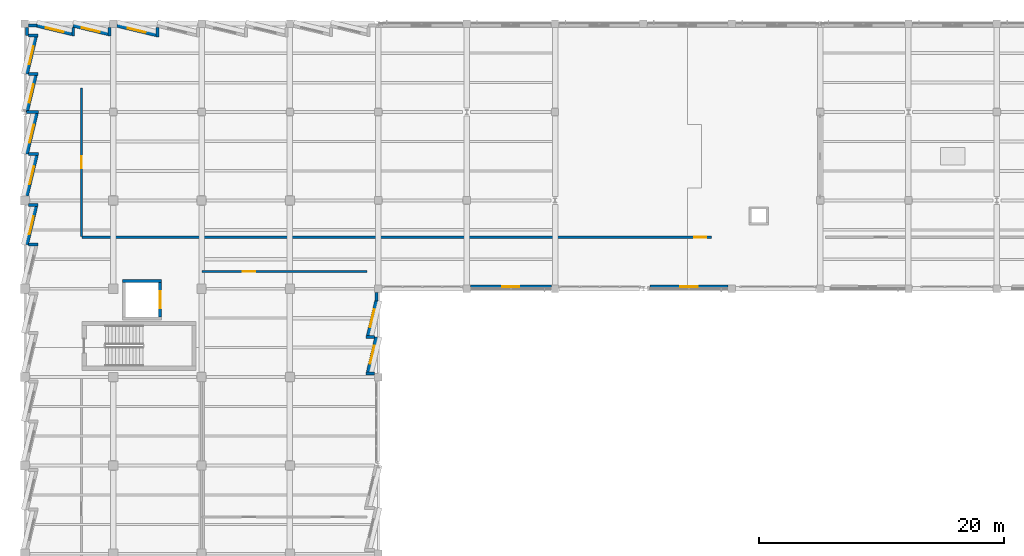
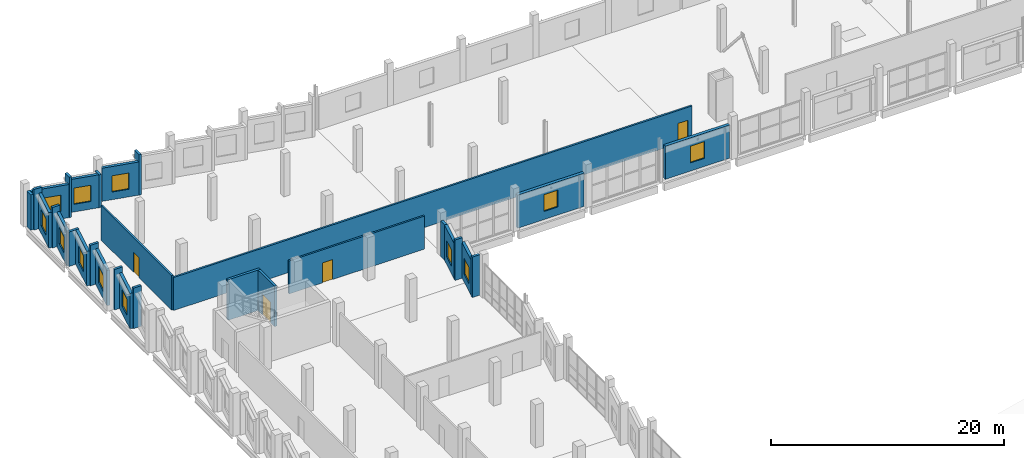
# One storey, part 94 of 123: 31 walls, 12 windows, 4 doors, 16 openings.
"""IFC4 building model written with IfcOpenShell, lengths in metres."""

from ifc_helpers import new_model, si_unit, direction, frame, frame_2d, origin, place, context, subcontext, project, spatial, rectangle, extrude, material, layer, layer_set, type_object, element, fill, save


model = new_model("IFC4")

# Units and contexts
model_context = context("Model", 3, precision=1e-05, world=origin(), true_north=direction((0.0, 1.0)))
body_context = subcontext(model_context, "Body", "Model", "MODEL_VIEW")
ifc_project = project(units=[si_unit("LENGTHUNIT", "METRE"), si_unit("AREAUNIT", "SQUARE_METRE"), si_unit("VOLUMEUNIT", "CUBIC_METRE"), si_unit("PLANEANGLEUNIT", "RADIAN"), si_unit("MASSUNIT", "GRAM", prefix="KILO")], contexts=[model_context])

# Site, building, storey
site_placement = place(None, origin())
site = spatial("IfcSite", under=ifc_project, at=site_placement, CompositionType="ELEMENT")
building_placement = place(site_placement, origin())
building = spatial("IfcBuilding", under=site, at=building_placement, Name="Kalmorath City Hall", CompositionType="ELEMENT")
storey_placement = place(building_placement, frame((0.0, 0.0, 10.199951171875)))
storey = spatial("IfcBuildingStorey", under=building, at=storey_placement, Name="L02", CompositionType="ELEMENT", Elevation=10.199951171875)

# Wall
ifc_material_1 = material(Name="Concrete C50/60", Category="concrete")
ifc_layer_1 = layer(ifc_material_1, 0.25)
ifc_layer_set_1 = layer_set([ifc_layer_1], Name="Concrete C50/60")
wall_type_1 = type_object("IfcWallType", Name="Concrete lift shaft wall 250", PredefinedType="SHEAR", material=ifc_layer_set_1)
wall_1_placement = place(storey_placement, frame((11.14990234375, 94.22509765625, 0.0), z_axis=(0.0, 0.0, 1.0), x_axis=(-1.0, 0.0, 0.0)))
element("IfcWall", 1, at=wall_1_placement, inside=storey, type_object=wall_type_1, Name="L02 SL1 lift shaft wall +y", PredefinedType="SHEAR", context=body_context, shape_type="SweptSolid", body=[
    extrude(rectangle(XDim=3.199951171875, YDim=0.25, at=frame_2d((1.60009765625, 0.0))), origin(), (0.0, 0.0, 1.0), 4.239990234375),
])

# Wall, opening, door
wall_2_placement = place(storey_placement, frame((11.02490234375, 91.300048828125, 0.0), z_axis=(0.0, 0.0, 1.0), x_axis=(0.0, 1.0, 0.0)))
wall_2 = element("IfcWall", 2, at=wall_2_placement, inside=storey, type_object=wall_type_1, Name="L02 SL1 lift shaft wall +x", PredefinedType="SHEAR", context=body_context, shape_type="SweptSolid", body=[
    extrude(rectangle(XDim=2.800048828125, YDim=0.25, at=frame_2d((1.39990234375, 0.0))), origin(), (0.0, 0.0, 1.0), 4.239990234375),
])
opening_1_placement = place(wall_2_placement, frame((0.699951171875, 0.0, 0.0)))
opening_1 = element("IfcOpeningElement", 3, at=opening_1_placement, cuts=wall_2, Name="Opening LD-088", PredefinedType="OPENING", context=body_context, shape_type="SweptSolid", body=[
    extrude(rectangle(XDim=1.39990234375, YDim=2.14990234375, at=frame_2d((0.699951171875, 1.074951171875))), frame((0.0, 0.135009765625, 0.0), z_axis=(0.0, -1.0, 0.0), x_axis=(1.0, 0.0, 0.0)), (0.0, 0.0, 1.0), 0.27001953125),
])
ifc_material_2 = material(Name="Stainless steel sliding landing door", Category="steel")
door_type_1 = type_object("IfcDoorType", Name="Goods lift sliding landing door 1400x2150", OperationType="SLIDING_TO_LEFT", PredefinedType="DOOR", material=ifc_material_2)
door_1_placement = place(opening_1_placement, origin())
door_1 = element("IfcDoor", 4, at=door_1_placement, inside=storey, type_object=door_type_1, Name="L02 door LD-088", OperationType="SLIDING_TO_LEFT", OverallHeight=2.14990234375, OverallWidth=1.39990234375, PredefinedType="DOOR", context=body_context, shape_type="SweptSolid", body=[
    extrude(rectangle(XDim=1.39990234375, YDim=2.14990234375, at=frame_2d((0.699951171875, 1.074951171875))), frame((0.0, 0.02490234375, 0.0), z_axis=(0.0, -1.0, 0.0), x_axis=(1.0, 0.0, 0.0)), (0.0, 0.0, 1.0), 0.050048828125),
])
fill(opening_1, door_1)

ifc_material_3 = material(Name="Fire-rated acoustic gypsum partition")
ifc_layer_2 = layer(ifc_material_3, 0.179931640625)
ifc_layer_set_2 = layer_set([ifc_layer_2], Name="Fire-rated acoustic gypsum partition")
wall_type_2 = type_object("IfcWallType", Name="One-hour corridor fire partition 180", PredefinedType="PARTITIONING", material=ifc_layer_set_2)
wall_3_placement = place(storey_placement, frame((4.60009765625, 97.840087890625, 0.0), z_axis=(0.0, 0.0, 1.0), x_axis=(0.0, 1.0, 0.0)))
wall_3 = element("IfcWall", 5, at=wall_3_placement, inside=storey, type_object=wall_type_2, Name="L02 interior partition PW2 #105", PredefinedType="PARTITIONING", context=body_context, shape_type="SweptSolid", body=[
    extrude(rectangle(XDim=12.119873046875, YDim=0.179931640625, at=frame_2d((6.06005859375, 0.0))), origin(), (0.0, 0.0, 1.0), 3.6181640625),
])
opening_2_placement = place(wall_3_placement, frame((5.56005859375, 0.0, 0.0)))
opening_2 = element("IfcOpeningElement", 6, at=opening_2_placement, cuts=wall_3, Name="Opening D-L02-200", PredefinedType="OPENING", context=body_context, shape_type="SweptSolid", body=[
    extrude(rectangle(XDim=1.0, YDim=2.10009765625, at=frame_2d((0.5, 1.050048828125))), frame((0.0, 0.099853515625, 0.0), z_axis=(0.0, -1.0, 0.0), x_axis=(1.0, 0.0, 0.0)), (0.0, 0.0, 1.0), 0.199951171875),
])
ifc_material_4 = material(Name="Hardwood fire door", Category="wood")
door_type_2 = type_object("IfcDoorType", Name="Corridor 60-min fire door 1000x2100", OperationType="NOTDEFINED", PredefinedType="DOOR", material=ifc_material_4)
door_2_placement = place(opening_2_placement, origin())
door_2 = element("IfcDoor", 7, at=door_2_placement, inside=storey, type_object=door_type_2, Name="L02 door D-L02-200", OperationType="SINGLE_SWING_RIGHT", OverallHeight=2.10009765625, OverallWidth=1.0, PredefinedType="DOOR", context=body_context, shape_type="SweptSolid", body=[
    extrude(rectangle(XDim=1.0, YDim=2.10009765625, at=frame_2d((0.5, 1.050048828125))), frame((0.0, 0.02490234375, 0.0), z_axis=(0.0, -1.0, 0.0), x_axis=(1.0, 0.0, 0.0)), (0.0, 0.0, 1.0), 0.050048828125),
])
fill(opening_2, door_2)

wall_4_placement = place(storey_placement, frame((4.639892578125, 97.800048828125, 0.0), z_axis=(0.0, 0.0, 1.0), x_axis=(1.0, 0.0, 0.0)))
wall_4 = element("IfcWall", 8, at=wall_4_placement, inside=storey, type_object=wall_type_2, Name="L02 interior partition PW2 #115", PredefinedType="PARTITIONING", context=body_context, shape_type="SweptSolid", body=[
    extrude(rectangle(XDim=51.320068359375, YDim=0.179931640625, at=frame_2d((25.66015625, 0.0))), origin(), (0.0, 0.0, 1.0), 3.450927734375),
])
opening_3_placement = place(wall_4_placement, frame((49.89990234375, 0.0, 0.0)))
opening_3 = element("IfcOpeningElement", 9, at=opening_3_placement, cuts=wall_4, Name="Opening D-L02-199", PredefinedType="OPENING", context=body_context, shape_type="SweptSolid", body=[
    extrude(rectangle(XDim=1.0, YDim=2.10009765625, at=frame_2d((0.5, 1.050048828125))), frame((0.0, 0.099853515625, 0.0), z_axis=(0.0, -1.0, 0.0), x_axis=(1.0, 0.0, 0.0)), (0.0, 0.0, 1.0), 0.199951171875),
])
door_3_placement = place(opening_3_placement, origin())
door_3 = element("IfcDoor", 10, at=door_3_placement, inside=storey, type_object=door_type_2, Name="L02 door D-L02-199", OperationType="SINGLE_SWING_LEFT", OverallHeight=2.10009765625, OverallWidth=1.0, PredefinedType="DOOR", context=body_context, shape_type="SweptSolid", body=[
    extrude(rectangle(XDim=1.0, YDim=2.10009765625, at=frame_2d((0.5, 1.050048828125))), frame((0.0, 0.02490234375, 0.0), z_axis=(0.0, -1.0, 0.0), x_axis=(1.0, 0.0, 0.0)), (0.0, 0.0, 1.0), 0.050048828125),
])
fill(opening_3, door_3)

wall_5_placement = place(storey_placement, frame((14.43994140625, 95.0, 0.0), z_axis=(0.0, 0.0, 1.0), x_axis=(1.0, 0.0, 0.0)))
wall_5 = element("IfcWall", 11, at=wall_5_placement, inside=storey, type_object=wall_type_2, Name="L02 interior partition PW2 #118", PredefinedType="PARTITIONING", context=body_context, shape_type="SweptSolid", body=[
    extrude(rectangle(XDim=13.420166015625, YDim=0.179931640625, at=frame_2d((6.7099609375, 0.0))), origin(), (0.0, 0.0, 1.0), 3.450927734375),
])
opening_4_placement = place(wall_5_placement, frame((3.31494140625, 0.0, 0.0)))
opening_4 = element("IfcOpeningElement", 12, at=opening_4_placement, cuts=wall_5, Name="Opening D-L02-214", PredefinedType="OPENING", context=body_context, shape_type="SweptSolid", body=[
    extrude(rectangle(XDim=1.0, YDim=2.10009765625, at=frame_2d((0.5, 1.050048828125))), frame((0.0, 0.099853515625, 0.0), z_axis=(0.0, -1.0, 0.0), x_axis=(1.0, 0.0, 0.0)), (0.0, 0.0, 1.0), 0.199951171875),
])
door_4_placement = place(opening_4_placement, origin())
door_4 = element("IfcDoor", 13, at=door_4_placement, inside=storey, type_object=door_type_2, Name="L02 door D-L02-214", OperationType="SINGLE_SWING_RIGHT", OverallHeight=2.10009765625, OverallWidth=1.0, PredefinedType="DOOR", context=body_context, shape_type="SweptSolid", body=[
    extrude(rectangle(XDim=1.0, YDim=2.10009765625, at=frame_2d((0.5, 1.050048828125))), frame((0.0, 0.02490234375, 0.0), z_axis=(0.0, -1.0, 0.0), x_axis=(1.0, 0.0, 0.0)), (0.0, 0.0, 1.0), 0.050048828125),
])
fill(opening_4, door_4)

# Walls
ifc_material_5 = material(Name="Precast concrete C40/50", Category="concrete")
ifc_layer_3 = layer(ifc_material_5, 0.239990234375)
ifc_layer_set_3 = layer_set([ifc_layer_3], Name="Precast concrete C40/50")
wall_type_3 = type_object("IfcWallType", Name="Precast sawtooth cheek wall 240", PredefinedType="SOLIDWALL", material=ifc_layer_set_3)
for number, where, z_axis, x_axis, name in (
    (14, (1.0791015625, 97.199951171875, 0.0), (0.0, 0.0, 1.0), (-1.0, 0.0, 0.0), "L02 sawtooth return cheek #402"),
    (15, (1.0791015625, 100.424072265625, 0.0), (0.0, 0.0, 1.0), (-1.0, 0.0, 0.0), "L02 sawtooth return cheek #404"),
):
    element("IfcWall", number, at=place(storey_placement, frame(where, z_axis=z_axis, x_axis=x_axis)), inside=storey, type_object=wall_type_3, Name=name, PredefinedType="SOLIDWALL", context=body_context, shape_type="SweptSolid", body=[
        extrude(rectangle(XDim=0.787109375, YDim=0.239990234375, at=frame_2d((0.3935546875, 0.0))), origin(), (0.0, 0.0, 1.0), 4.239990234375),
    ])
wall_6_placement = place(storey_placement, frame((1.1240234375, 104.587890625, 0.0), z_axis=(0.0, 0.0, 1.0), x_axis=(-1.0, 0.0, 0.0)))
element("IfcWall", 16, at=wall_6_placement, inside=storey, type_object=wall_type_3, Name="L02 sawtooth return cheek #406", PredefinedType="SOLIDWALL", context=body_context, shape_type="SweptSolid", body=[
    extrude(rectangle(XDim=0.83203125, YDim=0.239990234375, at=frame_2d((0.416015625, 0.0))), origin(), (0.0, 0.0, 1.0), 4.239990234375),
])
wall_7_placement = place(storey_placement, frame((1.1240234375, 108.0, 0.0), z_axis=(0.0, 0.0, 1.0), x_axis=(-1.0, 0.0, 0.0)))
element("IfcWall", 17, at=wall_7_placement, inside=storey, type_object=wall_type_3, Name="L02 sawtooth return cheek #408", PredefinedType="SOLIDWALL", context=body_context, shape_type="SweptSolid", body=[
    extrude(rectangle(XDim=0.984130859375, YDim=0.239990234375, at=frame_2d((0.4921875, 0.0))), origin(), (0.0, 0.0, 1.0), 3.6181640625),
])
wall_8_placement = place(storey_placement, frame((1.051513671875, 111.109619140625, 0.0), z_axis=(0.0, 0.0, 1.0), x_axis=(-1.0, 0.0, 0.0)))
element("IfcWall", 18, at=wall_8_placement, inside=storey, type_object=wall_type_3, Name="L02 sawtooth return cheek #411", PredefinedType="SOLIDWALL", context=body_context, shape_type="SweptSolid", body=[
    extrude(rectangle(XDim=0.759521484375, YDim=0.239990234375, at=frame_2d((0.3798828125, 0.0))), origin(), (0.0, 0.0, 1.0), 4.239990234375),
])
wall_9_placement = place(storey_placement, frame((1.051513671875, 114.218994140625, 0.0), z_axis=(0.0, 0.0, 1.0), x_axis=(-1.0, 0.0, 0.0)))
element("IfcWall", 19, at=wall_9_placement, inside=storey, type_object=wall_type_3, Name="L02 sawtooth return cheek #413", PredefinedType="SOLIDWALL", context=body_context, shape_type="SweptSolid", body=[
    extrude(rectangle(XDim=0.76953125, YDim=0.239990234375, at=frame_2d((0.384765625, 0.0))), origin(), (0.0, 0.0, 1.0), 4.239990234375),
])
wall_10_placement = place(storey_placement, frame((3.93994140625, 114.1845703125, 0.0), z_axis=(0.0, 0.0, 1.0), x_axis=(0.0, 1.0, 0.0)))
element("IfcWall", 20, at=wall_10_placement, inside=storey, type_object=wall_type_3, Name="L02 sawtooth return cheek #416", PredefinedType="SOLIDWALL", context=body_context, shape_type="SweptSolid", body=[
    extrude(rectangle(XDim=0.723388671875, YDim=0.239990234375, at=frame_2d((0.36181640625, 0.0))), origin(), (0.0, 0.0, 1.0), 4.239990234375),
])
wall_11_placement = place(storey_placement, frame((6.89892578125, 114.1845703125, 0.0), z_axis=(0.0, 0.0, 1.0), x_axis=(0.0, 1.0, 0.0)))
element("IfcWall", 21, at=wall_11_placement, inside=storey, type_object=wall_type_3, Name="L02 sawtooth return cheek #418", PredefinedType="SOLIDWALL", context=body_context, shape_type="SweptSolid", body=[
    extrude(rectangle(XDim=0.723388671875, YDim=0.239990234375, at=frame_2d((0.36181640625, 0.0))), origin(), (0.0, 0.0, 1.0), 3.450927734375),
])
wall_12_placement = place(storey_placement, frame((10.800048828125, 114.10302734375, 0.0), z_axis=(0.0, 0.0, 1.0), x_axis=(0.0, 1.0, 0.0)))
element("IfcWall", 22, at=wall_12_placement, inside=storey, type_object=wall_type_3, Name="L02 sawtooth return cheek #420", PredefinedType="SOLIDWALL", context=body_context, shape_type="SweptSolid", body=[
    extrude(rectangle(XDim=0.804931640625, YDim=0.239990234375, at=frame_2d((0.40234375, 0.0))), origin(), (0.0, 0.0, 1.0), 4.239990234375),
])
for number, where, z_axis, x_axis, name in (
    (23, (27.78466796875, 89.659912109375, 0.0), (0.0, 0.0, 1.0), (1.0, 0.0, 0.0), "L02 sawtooth return cheek #479"),
    (24, (27.78466796875, 86.700927734375, 0.0), (0.0, 0.0, 1.0), (1.0, 0.0, 0.0), "L02 sawtooth return cheek #481"),
):
    element("IfcWall", number, at=place(storey_placement, frame(where, z_axis=z_axis, x_axis=x_axis)), inside=storey, type_object=wall_type_3, Name=name, PredefinedType="SOLIDWALL", context=body_context, shape_type="SweptSolid", body=[
        extrude(rectangle(XDim=0.723388671875, YDim=0.239990234375, at=frame_2d((0.36181640625, 0.0))), origin(), (0.0, 0.0, 1.0), 4.239990234375),
    ])

# Wall, opening, window
ifc_material_6 = material(Name="Precast concrete C40/50", Category="concrete")
ifc_layer_4 = layer(ifc_material_6, 0.280029296875)
ifc_layer_set_4 = layer_set([ifc_layer_4], Name="Precast concrete C40/50")
wall_type_4 = type_object("IfcWallType", Name="Precast sawtooth facade wall 280", PredefinedType="SOLIDWALL", material=ifc_layer_set_4)
wall_13_placement = place(storey_placement, frame((0.159912109375, 97.199951171875, 0.0), z_axis=(0.0, 0.0, 1.0), x_axis=(0.233481900362, 0.972361148033, 0.0)))
wall_13 = element("IfcWall", 25, at=wall_13_placement, inside=storey, type_object=wall_type_4, Name="L02 sawtooth precast frame #403", PredefinedType="SOLIDWALL", context=body_context, shape_type="SweptSolid", body=[
    extrude(rectangle(XDim=3.220703125, YDim=0.280029296875, at=frame_2d((1.6103515625, 0.0))), origin(), (0.0, 0.0, 1.0), 3.696044921875),
])
opening_5_placement = place(wall_13_placement, frame((0.8603515625, 0.0, 0.800048828125)))
opening_5 = element("IfcOpeningElement", 26, at=opening_5_placement, cuts=wall_13, Name="Opening WN7", PredefinedType="OPENING", context=body_context, shape_type="SweptSolid", body=[
    extrude(rectangle(XDim=1.5, YDim=1.699951171875, at=frame_2d((0.75, 0.85009765625))), frame((0.0, 0.14990234375, 0.0), z_axis=(0.0, -1.0, 0.0), x_axis=(1.0, 0.0, 0.0)), (0.0, 0.0, 1.0), 0.300048828125),
])
ifc_material_7 = material(Name="Aluminium and laminated glass", Category="aluminium")
window_type_1 = type_object("IfcWindowType", Name="Sawtooth top storey window 1500x1700", PartitioningType="SINGLE_PANEL", PredefinedType="WINDOW", material=ifc_material_7)
window_1_placement = place(opening_5_placement, origin())
window_1 = element("IfcWindow", 27, at=window_1_placement, inside=storey, type_object=window_type_1, Name="L02 window WN7-194", OverallHeight=1.699951171875, OverallWidth=1.5, PartitioningType="SINGLE_PANEL", PredefinedType="WINDOW", context=body_context, shape_type="SweptSolid", body=[
    extrude(rectangle(XDim=1.5, YDim=1.699951171875, at=frame_2d((0.75, 0.85009765625))), frame((0.0, 0.030029296875, 0.0), z_axis=(0.0, -1.0, 0.0), x_axis=(1.0, 0.0, 0.0)), (0.0, 0.0, 1.0), 0.06005859375),
])
fill(opening_5, window_1)

wall_14_placement = place(storey_placement, frame((0.159912109375, 101.176025390625, 0.0), z_axis=(0.0, 0.0, 1.0), x_axis=(0.23342163795, 0.972375616178, 0.0)))
wall_14 = element("IfcWall", 28, at=wall_14_placement, inside=storey, type_object=wall_type_4, Name="L02 sawtooth precast frame #405", PredefinedType="SOLIDWALL", context=body_context, shape_type="SweptSolid", body=[
    extrude(rectangle(XDim=3.413818359375, YDim=0.280029296875, at=frame_2d((1.70703125, 0.0))), origin(), (0.0, 0.0, 1.0), 3.696044921875),
])
opening_6_placement = place(wall_14_placement, frame((0.95703125, 0.0, 0.800048828125)))
opening_6 = element("IfcOpeningElement", 29, at=opening_6_placement, cuts=wall_14, Name="Opening WN7", PredefinedType="OPENING", context=body_context, shape_type="SweptSolid", body=[
    extrude(rectangle(XDim=1.5, YDim=1.699951171875, at=frame_2d((0.75, 0.85009765625))), frame((0.0, 0.14990234375, 0.0), z_axis=(0.0, -1.0, 0.0), x_axis=(1.0, 0.0, 0.0)), (0.0, 0.0, 1.0), 0.300048828125),
])
window_2_placement = place(opening_6_placement, origin())
window_2 = element("IfcWindow", 30, at=window_2_placement, inside=storey, type_object=window_type_1, Name="L02 window WN7-195", OverallHeight=1.699951171875, OverallWidth=1.5, PartitioningType="SINGLE_PANEL", PredefinedType="WINDOW", context=body_context, shape_type="SweptSolid", body=[
    extrude(rectangle(XDim=1.5, YDim=1.699951171875, at=frame_2d((0.75, 0.85009765625))), frame((0.0, 0.030029296875, 0.0), z_axis=(0.0, -1.0, 0.0), x_axis=(1.0, 0.0, 0.0)), (0.0, 0.0, 1.0), 0.06005859375),
])
fill(opening_6, window_2)

wall_15_placement = place(storey_placement, frame((0.159912109375, 104.587890625, 0.0), z_axis=(0.0, 0.0, 1.0), x_axis=(0.233405407266, 0.972379512258, 0.0)))
wall_15 = element("IfcWall", 31, at=wall_15_placement, inside=storey, type_object=wall_type_4, Name="L02 sawtooth precast frame #407", PredefinedType="SOLIDWALL", context=body_context, shape_type="SweptSolid", body=[
    extrude(rectangle(XDim=3.4140625, YDim=0.280029296875, at=frame_2d((1.70703125, 0.0))), origin(), (0.0, 0.0, 1.0), 3.6181640625),
])
opening_7_placement = place(wall_15_placement, frame((0.95703125, 0.0, 0.800048828125)))
opening_7 = element("IfcOpeningElement", 32, at=opening_7_placement, cuts=wall_15, Name="Opening WN7", PredefinedType="OPENING", context=body_context, shape_type="SweptSolid", body=[
    extrude(rectangle(XDim=1.5, YDim=1.699951171875, at=frame_2d((0.75, 0.85009765625))), frame((0.0, 0.14990234375, 0.0), z_axis=(0.0, -1.0, 0.0), x_axis=(1.0, 0.0, 0.0)), (0.0, 0.0, 1.0), 0.300048828125),
])
window_3_placement = place(opening_7_placement, origin())
window_3 = element("IfcWindow", 33, at=window_3_placement, inside=storey, type_object=window_type_1, Name="L02 window WN7-196", OverallHeight=1.699951171875, OverallWidth=1.5, PartitioningType="SINGLE_PANEL", PredefinedType="WINDOW", context=body_context, shape_type="SweptSolid", body=[
    extrude(rectangle(XDim=1.5, YDim=1.699951171875, at=frame_2d((0.75, 0.85009765625))), frame((0.0, 0.030029296875, 0.0), z_axis=(0.0, -1.0, 0.0), x_axis=(1.0, 0.0, 0.0)), (0.0, 0.0, 1.0), 0.06005859375),
])
fill(opening_7, window_3)

wall_16_placement = place(storey_placement, frame((0.159912109375, 108.0, 0.0), z_axis=(0.0, 0.0, 1.0), x_axis=(0.233453301476, 0.972368014709, 0.0)))
wall_16 = element("IfcWall", 34, at=wall_16_placement, inside=storey, type_object=wall_type_4, Name="L02 sawtooth precast frame #410", PredefinedType="SOLIDWALL", context=body_context, shape_type="SweptSolid", body=[
    extrude(rectangle(XDim=3.102783203125, YDim=0.280029296875, at=frame_2d((1.55126953125, 0.0))), origin(), (0.0, 0.0, 1.0), 3.6181640625),
])
opening_8_placement = place(wall_16_placement, frame((0.801513671875, 0.0, 0.800048828125)))
opening_8 = element("IfcOpeningElement", 35, at=opening_8_placement, cuts=wall_16, Name="Opening WN7", PredefinedType="OPENING", context=body_context, shape_type="SweptSolid", body=[
    extrude(rectangle(XDim=1.5, YDim=1.699951171875, at=frame_2d((0.75, 0.85009765625))), frame((0.0, 0.14990234375, 0.0), z_axis=(0.0, -1.0, 0.0), x_axis=(1.0, 0.0, 0.0)), (0.0, 0.0, 1.0), 0.300048828125),
])
window_4_placement = place(opening_8_placement, origin())
window_4 = element("IfcWindow", 36, at=window_4_placement, inside=storey, type_object=window_type_1, Name="L02 window WN7-197", OverallHeight=1.699951171875, OverallWidth=1.5, PartitioningType="SINGLE_PANEL", PredefinedType="WINDOW", context=body_context, shape_type="SweptSolid", body=[
    extrude(rectangle(XDim=1.5, YDim=1.699951171875, at=frame_2d((0.75, 0.85009765625))), frame((0.0, 0.030029296875, 0.0), z_axis=(0.0, -1.0, 0.0), x_axis=(1.0, 0.0, 0.0)), (0.0, 0.0, 1.0), 0.06005859375),
])
fill(opening_8, window_4)

wall_17_placement = place(storey_placement, frame((0.159912109375, 111.109619140625, 0.0), z_axis=(0.0, 0.0, 1.0), x_axis=(0.233453301476, 0.972368014709, 0.0)))
wall_17 = element("IfcWall", 37, at=wall_17_placement, inside=storey, type_object=wall_type_4, Name="L02 sawtooth precast frame #412", PredefinedType="SOLIDWALL", context=body_context, shape_type="SweptSolid", body=[
    extrude(rectangle(XDim=3.102783203125, YDim=0.280029296875, at=frame_2d((1.55126953125, 0.0))), origin(), (0.0, 0.0, 1.0), 3.696044921875),
])
opening_9_placement = place(wall_17_placement, frame((0.801513671875, 0.0, 0.800048828125)))
opening_9 = element("IfcOpeningElement", 38, at=opening_9_placement, cuts=wall_17, Name="Opening WN7", PredefinedType="OPENING", context=body_context, shape_type="SweptSolid", body=[
    extrude(rectangle(XDim=1.5, YDim=1.699951171875, at=frame_2d((0.75, 0.85009765625))), frame((0.0, 0.14990234375, 0.0), z_axis=(0.0, -1.0, 0.0), x_axis=(1.0, 0.0, 0.0)), (0.0, 0.0, 1.0), 0.300048828125),
])
window_5_placement = place(opening_9_placement, origin())
window_5 = element("IfcWindow", 39, at=window_5_placement, inside=storey, type_object=window_type_1, Name="L02 window WN7-198", OverallHeight=1.699951171875, OverallWidth=1.5, PartitioningType="SINGLE_PANEL", PredefinedType="WINDOW", context=body_context, shape_type="SweptSolid", body=[
    extrude(rectangle(XDim=1.5, YDim=1.699951171875, at=frame_2d((0.75, 0.85009765625))), frame((0.0, 0.030029296875, 0.0), z_axis=(0.0, -1.0, 0.0), x_axis=(1.0, 0.0, 0.0)), (0.0, 0.0, 1.0), 0.06005859375),
])
fill(opening_9, window_5)

wall_18_placement = place(storey_placement, frame((0.98095703125, 115.0400390625, 0.0), z_axis=(0.0, 0.0, 1.0), x_axis=(0.972370010422, -0.233444988876, 0.0)))
wall_18 = element("IfcWall", 40, at=wall_18_placement, inside=storey, type_object=wall_type_4, Name="L02 sawtooth precast frame #415", PredefinedType="SOLIDWALL", context=body_context, shape_type="SweptSolid", body=[
    extrude(rectangle(XDim=2.9482421875, YDim=0.280029296875, at=frame_2d((1.47412109375, 0.0))), origin(), (0.0, 0.0, 1.0), 3.470947265625),
])
opening_10_placement = place(wall_18_placement, frame((0.72412109375, 0.0, 0.800048828125)))
opening_10 = element("IfcOpeningElement", 41, at=opening_10_placement, cuts=wall_18, Name="Opening WN7", PredefinedType="OPENING", context=body_context, shape_type="SweptSolid", body=[
    extrude(rectangle(XDim=1.5, YDim=1.699951171875, at=frame_2d((0.75, 0.85009765625))), frame((0.0, 0.14990234375, 0.0), z_axis=(0.0, -1.0, 0.0), x_axis=(1.0, 0.0, 0.0)), (0.0, 0.0, 1.0), 0.300048828125),
])
window_6_placement = place(opening_10_placement, origin())
window_6 = element("IfcWindow", 42, at=window_6_placement, inside=storey, type_object=window_type_1, Name="L02 window WN7-199", OverallHeight=1.699951171875, OverallWidth=1.5, PartitioningType="SINGLE_PANEL", PredefinedType="WINDOW", context=body_context, shape_type="SweptSolid", body=[
    extrude(rectangle(XDim=1.5, YDim=1.699951171875, at=frame_2d((0.75, 0.85009765625))), frame((0.0, 0.030029296875, 0.0), z_axis=(0.0, -1.0, 0.0), x_axis=(1.0, 0.0, 0.0)), (0.0, 0.0, 1.0), 0.06005859375),
])
fill(opening_10, window_6)

wall_19_placement = place(storey_placement, frame((3.93994140625, 115.0400390625, 0.0), z_axis=(0.0, 0.0, 1.0), x_axis=(0.972370010422, -0.233444988876, 0.0)))
wall_19 = element("IfcWall", 43, at=wall_19_placement, inside=storey, type_object=wall_type_4, Name="L02 sawtooth precast frame #417", PredefinedType="SOLIDWALL", context=body_context, shape_type="SweptSolid", body=[
    extrude(rectangle(XDim=2.9482421875, YDim=0.280029296875, at=frame_2d((1.47412109375, 0.0))), origin(), (0.0, 0.0, 1.0), 3.450927734375),
])
opening_11_placement = place(wall_19_placement, frame((0.72412109375, 0.0, 0.800048828125)))
opening_11 = element("IfcOpeningElement", 44, at=opening_11_placement, cuts=wall_19, Name="Opening WN7", PredefinedType="OPENING", context=body_context, shape_type="SweptSolid", body=[
    extrude(rectangle(XDim=1.5, YDim=1.699951171875, at=frame_2d((0.75, 0.85009765625))), frame((0.0, 0.14990234375, 0.0), z_axis=(0.0, -1.0, 0.0), x_axis=(1.0, 0.0, 0.0)), (0.0, 0.0, 1.0), 0.300048828125),
])
window_7_placement = place(opening_11_placement, origin())
window_7 = element("IfcWindow", 45, at=window_7_placement, inside=storey, type_object=window_type_1, Name="L02 window WN7-200", OverallHeight=1.699951171875, OverallWidth=1.5, PartitioningType="SINGLE_PANEL", PredefinedType="WINDOW", context=body_context, shape_type="SweptSolid", body=[
    extrude(rectangle(XDim=1.5, YDim=1.699951171875, at=frame_2d((0.75, 0.85009765625))), frame((0.0, 0.030029296875, 0.0), z_axis=(0.0, -1.0, 0.0), x_axis=(1.0, 0.0, 0.0)), (0.0, 0.0, 1.0), 0.06005859375),
])
fill(opening_11, window_7)

wall_20_placement = place(storey_placement, frame((7.5009765625, 115.0400390625, 0.0), z_axis=(0.0, 0.0, 1.0), x_axis=(0.972373187667, -0.23343175428, 0.0)))
wall_20 = element("IfcWall", 46, at=wall_20_placement, inside=storey, type_object=wall_type_4, Name="L02 sawtooth precast frame #419", PredefinedType="SOLIDWALL", context=body_context, shape_type="SweptSolid", body=[
    extrude(rectangle(XDim=3.297607421875, YDim=0.280029296875, at=frame_2d((1.64892578125, 0.0))), origin(), (0.0, 0.0, 1.0), 3.470947265625),
])
opening_12_placement = place(wall_20_placement, frame((0.89892578125, 0.0, 0.800048828125)))
opening_12 = element("IfcOpeningElement", 47, at=opening_12_placement, cuts=wall_20, Name="Opening WN7", PredefinedType="OPENING", context=body_context, shape_type="SweptSolid", body=[
    extrude(rectangle(XDim=1.5, YDim=1.699951171875, at=frame_2d((0.75, 0.85009765625))), frame((0.0, 0.14990234375, 0.0), z_axis=(0.0, -1.0, 0.0), x_axis=(1.0, 0.0, 0.0)), (0.0, 0.0, 1.0), 0.300048828125),
])
window_8_placement = place(opening_12_placement, origin())
window_8 = element("IfcWindow", 48, at=window_8_placement, inside=storey, type_object=window_type_1, Name="L02 window WN7-201", OverallHeight=1.699951171875, OverallWidth=1.5, PartitioningType="SINGLE_PANEL", PredefinedType="WINDOW", context=body_context, shape_type="SweptSolid", body=[
    extrude(rectangle(XDim=1.5, YDim=1.699951171875, at=frame_2d((0.75, 0.85009765625))), frame((0.0, 0.030029296875, 0.0), z_axis=(0.0, -1.0, 0.0), x_axis=(1.0, 0.0, 0.0)), (0.0, 0.0, 1.0), 0.06005859375),
])
fill(opening_12, window_8)

wall_21_placement = place(storey_placement, frame((28.639892578125, 92.618896484375, 0.0), z_axis=(0.0, 0.0, 1.0), x_axis=(-0.233385481888, -0.972384294836, 0.0)))
wall_21 = element("IfcWall", 49, at=wall_21_placement, inside=storey, type_object=wall_type_4, Name="L02 sawtooth precast frame #478", PredefinedType="SOLIDWALL", context=body_context, shape_type="SweptSolid", body=[
    extrude(rectangle(XDim=2.94775390625, YDim=0.280029296875, at=frame_2d((1.473876953125, 0.0))), origin(), (0.0, 0.0, 1.0), 3.696044921875),
])
opening_13_placement = place(wall_21_placement, frame((0.72412109375, 0.0, 0.800048828125)))
opening_13 = element("IfcOpeningElement", 50, at=opening_13_placement, cuts=wall_21, Name="Opening WN7", PredefinedType="OPENING", context=body_context, shape_type="SweptSolid", body=[
    extrude(rectangle(XDim=1.5, YDim=1.699951171875, at=frame_2d((0.75, 0.85009765625))), frame((0.0, 0.14990234375, 0.0), z_axis=(0.0, -1.0, 0.0), x_axis=(1.0, 0.0, 0.0)), (0.0, 0.0, 1.0), 0.300048828125),
])
window_9_placement = place(opening_13_placement, origin())
window_9 = element("IfcWindow", 51, at=window_9_placement, inside=storey, type_object=window_type_1, Name="L02 window WN7-252", OverallHeight=1.699951171875, OverallWidth=1.5, PartitioningType="SINGLE_PANEL", PredefinedType="WINDOW", context=body_context, shape_type="SweptSolid", body=[
    extrude(rectangle(XDim=1.5, YDim=1.699951171875, at=frame_2d((0.75, 0.85009765625))), frame((0.0, 0.030029296875, 0.0), z_axis=(0.0, -1.0, 0.0), x_axis=(1.0, 0.0, 0.0)), (0.0, 0.0, 1.0), 0.06005859375),
])
fill(opening_13, window_9)

wall_22_placement = place(storey_placement, frame((28.639892578125, 89.659912109375, 0.0), z_axis=(0.0, 0.0, 1.0), x_axis=(-0.233385481888, -0.972384294836, 0.0)))
wall_22 = element("IfcWall", 52, at=wall_22_placement, inside=storey, type_object=wall_type_4, Name="L02 sawtooth precast frame #480", PredefinedType="SOLIDWALL", context=body_context, shape_type="SweptSolid", body=[
    extrude(rectangle(XDim=2.94775390625, YDim=0.280029296875, at=frame_2d((1.473876953125, 0.0))), origin(), (0.0, 0.0, 1.0), 3.696044921875),
])
opening_14_placement = place(wall_22_placement, frame((0.72412109375, 0.0, 0.800048828125)))
opening_14 = element("IfcOpeningElement", 53, at=opening_14_placement, cuts=wall_22, Name="Opening WN7", PredefinedType="OPENING", context=body_context, shape_type="SweptSolid", body=[
    extrude(rectangle(XDim=1.5, YDim=1.699951171875, at=frame_2d((0.75, 0.85009765625))), frame((0.0, 0.14990234375, 0.0), z_axis=(0.0, -1.0, 0.0), x_axis=(1.0, 0.0, 0.0)), (0.0, 0.0, 1.0), 0.300048828125),
])
window_10_placement = place(opening_14_placement, origin())
window_10 = element("IfcWindow", 54, at=window_10_placement, inside=storey, type_object=window_type_1, Name="L02 window WN7-253", OverallHeight=1.699951171875, OverallWidth=1.5, PartitioningType="SINGLE_PANEL", PredefinedType="WINDOW", context=body_context, shape_type="SweptSolid", body=[
    extrude(rectangle(XDim=1.5, YDim=1.699951171875, at=frame_2d((0.75, 0.85009765625))), frame((0.0, 0.030029296875, 0.0), z_axis=(0.0, -1.0, 0.0), x_axis=(1.0, 0.0, 0.0)), (0.0, 0.0, 1.0), 0.06005859375),
])
fill(opening_14, window_10)

# Walls
ifc_material_8 = material(Name="Precast concrete C40/50", Category="concrete")
ifc_layer_5 = layer(ifc_material_8, 0.260009765625)
ifc_layer_set_5 = layer_set([ifc_layer_5], Name="Precast concrete C40/50")
wall_type_5 = type_object("IfcWallType", Name="Precast sawtooth return wall 260", PredefinedType="SOLIDWALL", material=ifc_layer_set_5)
wall_23_placement = place(storey_placement, frame((0.159912109375, 114.218994140625, 0.0), z_axis=(0.0, 0.0, 1.0), x_axis=(0.0, 1.0, 0.0)))
element("IfcWall", 55, at=wall_23_placement, inside=storey, type_object=wall_type_5, Name="L02 corner pier wall #409", PredefinedType="SOLIDWALL", context=body_context, shape_type="SweptSolid", body=[
    extrude(rectangle(XDim=0.679931640625, YDim=0.260009765625, at=frame_2d((0.33984375, 0.0))), origin(), (0.0, 0.0, 1.0), 3.696044921875),
])
wall_24_placement = place(storey_placement, frame((0.301025390625, 115.0400390625, 0.0), z_axis=(0.0, 0.0, 1.0), x_axis=(1.0, 0.0, 0.0)))
element("IfcWall", 56, at=wall_24_placement, inside=storey, type_object=wall_type_5, Name="L02 corner pier wall #414", PredefinedType="SOLIDWALL", context=body_context, shape_type="SweptSolid", body=[
    extrude(rectangle(XDim=0.679931640625, YDim=0.260009765625, at=frame_2d((0.33984375, 0.0))), origin(), (0.0, 0.0, 1.0), 3.470947265625),
])
wall_25_placement = place(storey_placement, frame((28.639892578125, 93.299072265625, 0.0), z_axis=(0.0, 0.0, 1.0), x_axis=(0.0, -1.0, 0.0)))
element("IfcWall", 57, at=wall_25_placement, inside=storey, type_object=wall_type_5, Name="L02 corner pier wall #477", PredefinedType="SOLIDWALL", context=body_context, shape_type="SweptSolid", body=[
    extrude(rectangle(XDim=0.68017578125, YDim=0.260009765625, at=frame_2d((0.340087890625, 0.0))), origin(), (0.0, 0.0, 1.0), 3.696044921875),
])

# Wall, opening, window
ifc_material_9 = material(Name="Concrete C40/50", Category="concrete")
ifc_layer_6 = layer(ifc_material_9, 0.300048828125)
ifc_layer_set_6 = layer_set([ifc_layer_6], Name="Concrete C40/50")
wall_type_6 = type_object("IfcWallType", Name="Volcanic basalt backup wall 300", PredefinedType="SOLIDWALL", material=ifc_layer_set_6)
wall_26_placement = place(storey_placement, frame((57.299072265625, 93.760009765625, 0.0), z_axis=(0.0, 0.0, 1.0), x_axis=(-1.0, 0.0, 0.0)))
wall_26 = element("IfcWall", 58, at=wall_26_placement, inside=storey, type_object=wall_type_6, Name="L02 basalt wing wall #475", PredefinedType="SOLIDWALL", context=body_context, shape_type="SweptSolid", body=[
    extrude(rectangle(XDim=6.368408203125, YDim=0.300048828125, at=frame_2d((3.18408203125, 0.0))), origin(), (0.0, 0.0, 1.0), 3.470947265625),
])
opening_15_placement = place(wall_26_placement, frame((2.484130859375, 0.0, 0.85009765625)))
opening_15 = element("IfcOpeningElement", 59, at=opening_15_placement, cuts=wall_26, Name="Opening WN11", PredefinedType="OPENING", context=body_context, shape_type="SweptSolid", body=[
    extrude(rectangle(XDim=1.39990234375, YDim=1.75, at=frame_2d((0.699951171875, 0.875))), frame((0.0, 0.159912109375, 0.0), z_axis=(0.0, -1.0, 0.0), x_axis=(1.0, 0.0, 0.0)), (0.0, 0.0, 1.0), 0.320068359375),
])
ifc_material_10 = material(Name="Bronze-anodised aluminium and glass", Category="aluminium")
window_type_2 = type_object("IfcWindowType", Name="Basalt north study window 1400x1750", PartitioningType="SINGLE_PANEL", PredefinedType="WINDOW", material=ifc_material_10)
window_11_placement = place(opening_15_placement, origin())
window_11 = element("IfcWindow", 60, at=window_11_placement, inside=storey, type_object=window_type_2, Name="L02 window WN11-250", OverallHeight=1.75, OverallWidth=1.39990234375, PartitioningType="SINGLE_PANEL", PredefinedType="WINDOW", context=body_context, shape_type="SweptSolid", body=[
    extrude(rectangle(XDim=1.39990234375, YDim=1.75, at=frame_2d((0.699951171875, 0.875))), frame((0.0, 0.030029296875, 0.0), z_axis=(0.0, -1.0, 0.0), x_axis=(1.0, 0.0, 0.0)), (0.0, 0.0, 1.0), 0.06005859375),
])
fill(opening_15, window_11)

wall_27_placement = place(storey_placement, frame((42.89892578125, 93.760009765625, 0.0), z_axis=(0.0, 0.0, 1.0), x_axis=(-1.0, 0.0, 0.0)))
wall_27 = element("IfcWall", 61, at=wall_27_placement, inside=storey, type_object=wall_type_6, Name="L02 basalt wing wall #476", PredefinedType="SOLIDWALL", context=body_context, shape_type="SweptSolid", body=[
    extrude(rectangle(XDim=6.597900390625, YDim=0.300048828125, at=frame_2d((3.298828125, 0.0))), origin(), (0.0, 0.0, 1.0), 3.470947265625),
])
opening_16_placement = place(wall_27_placement, frame((2.59912109375, 0.0, 0.85009765625)))
opening_16 = element("IfcOpeningElement", 62, at=opening_16_placement, cuts=wall_27, Name="Opening WN11", PredefinedType="OPENING", context=body_context, shape_type="SweptSolid", body=[
    extrude(rectangle(XDim=1.39990234375, YDim=1.75, at=frame_2d((0.699951171875, 0.875))), frame((0.0, 0.159912109375, 0.0), z_axis=(0.0, -1.0, 0.0), x_axis=(1.0, 0.0, 0.0)), (0.0, 0.0, 1.0), 0.320068359375),
])
window_12_placement = place(opening_16_placement, origin())
window_12 = element("IfcWindow", 63, at=window_12_placement, inside=storey, type_object=window_type_2, Name="L02 window WN11-251", OverallHeight=1.75, OverallWidth=1.39990234375, PartitioningType="SINGLE_PANEL", PredefinedType="WINDOW", context=body_context, shape_type="SweptSolid", body=[
    extrude(rectangle(XDim=1.39990234375, YDim=1.75, at=frame_2d((0.699951171875, 0.875))), frame((0.0, 0.030029296875, 0.0), z_axis=(0.0, -1.0, 0.0), x_axis=(1.0, 0.0, 0.0)), (0.0, 0.0, 1.0), 0.06005859375),
])
fill(opening_16, window_12)

save(model, "model.ifc")
